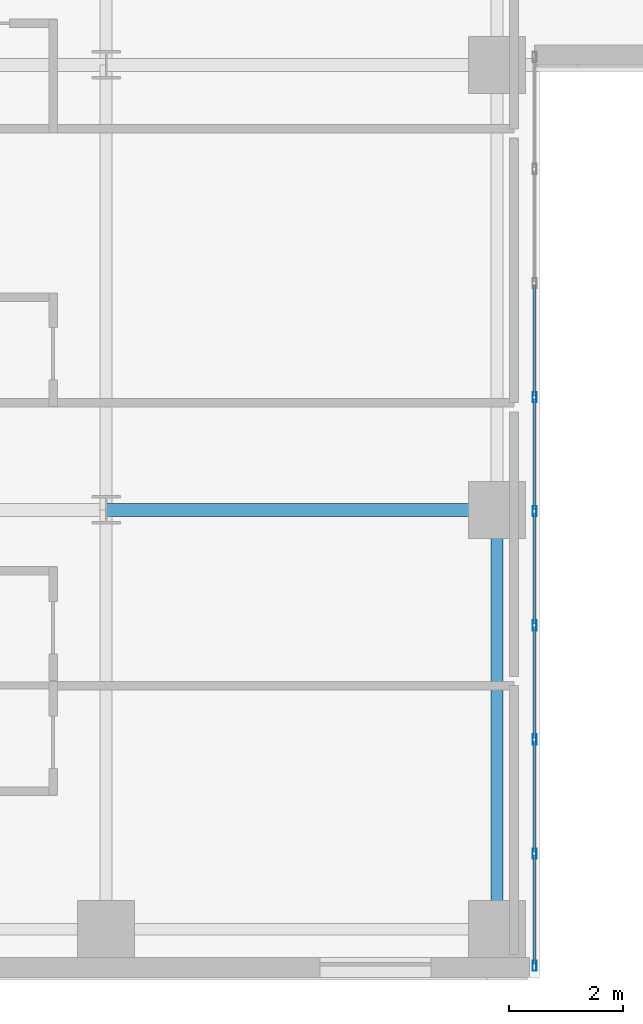
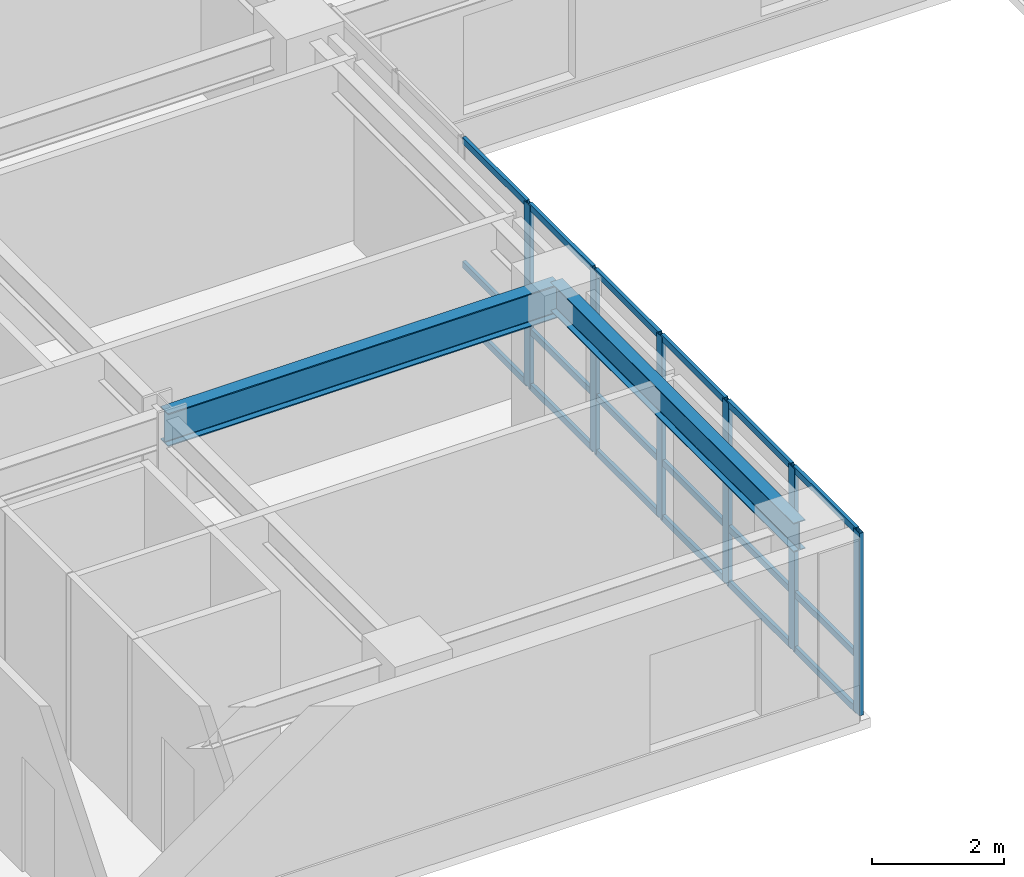
# One storey, part 2 of 25: 24 members, 2 beams, 1 element without a shape of its own.
"""IFC4 building model written with IfcOpenShell, lengths in metres."""

from ifc_helpers import new_model, si_unit, direction, frame, origin, origin_2d, place, context, subcontext, project, spatial, hollow_rectangle, i_section, extrude, source, transform, mapped, material, layer, layer_set, material_profile, profile_set, type_object, type_shapes, element, aggregate, save


model = new_model("IFC4")

# Units and contexts
model_context = context("Model", 3, precision=1e-05, world=origin(), true_north=direction((0.0, 1.0)))
body_context = subcontext(model_context, "Body", "Model", "MODEL_VIEW")
ifc_project = project(units=[si_unit("LENGTHUNIT", "METRE"), si_unit("AREAUNIT", "SQUARE_METRE"), si_unit("VOLUMEUNIT", "CUBIC_METRE"), si_unit("PLANEANGLEUNIT", "RADIAN"), si_unit("MASSUNIT", "GRAM", prefix="KILO")], contexts=[model_context])

# Site, building, storey
site_placement = place(None, origin())
site = spatial("IfcSite", under=ifc_project, at=site_placement, CompositionType="ELEMENT")
building_placement = place(site_placement, origin())
building = spatial("IfcBuilding", under=site, at=building_placement, Name="Tolvann Quenvar Hotel", CompositionType="ELEMENT")
storey_placement = place(building_placement, frame((0.0, 0.0, 46.199951171875)))
storey = spatial("IfcBuildingStorey", under=building, at=storey_placement, Name="L10", CompositionType="ELEMENT", Elevation=46.199951171875)

# Beams
ifc_material_1 = material(Name="Steel Grade 350", Category="steel")
ifc_material_profile_1 = material_profile(ifc_material_1, i_section(OverallWidth=0.22900390625, OverallDepth=0.612060546875, WebThickness=0.011962890625, FlangeThickness=0.01953125, FilletRadius=0.013916015625, at=origin_2d()), Name="610UB125")
ifc_profile_set_1 = profile_set([ifc_material_profile_1], Name="Steel Grade 350")
beam_type_1 = type_object("IfcBeamType", Name="BM_GIRD_610UB125", PredefinedType="BEAM", material=ifc_profile_set_1)
shared_shape_1 = source(origin(), body_context, "Body", "SweptSolid", [
    extrude(i_section(OverallWidth=0.22900390625, OverallDepth=0.612060546875, WebThickness=0.011962890625, FlangeThickness=0.01953125, FilletRadius=0.013916015625, at=origin_2d()), origin(), (0.0, 0.0, 1.0), 6.85009765625),
])
type_shapes(beam_type_1, [shared_shape_1])
beam_1_placement = place(storey_placement, frame((15.199951171875, 8.199951171875, 3.06396484375), z_axis=(1.0, 0.0, 0.0), x_axis=(0.0, 1.0, 0.0)))
element("IfcBeam", 1, at=beam_1_placement, inside=storey, type_object=beam_type_1, Name="BM-L10-EW-3-D3-E3", PredefinedType="BEAM", context=body_context, shape_type="MappedRepresentation", body=[
    mapped(shared_shape_1, transform((0.0, 0.0, 0.0), x_axis=(1.0, 0.0, 0.0), y_axis=(0.0, 1.0, 0.0), z_axis=(0.0, 0.0, 1.0), scale=1.0)),
])
ifc_material_profile_2 = material_profile(ifc_material_1, i_section(OverallWidth=0.208984375, OverallDepth=0.532958984375, WebThickness=0.01025390625, FlangeThickness=0.015625, FilletRadius=0.013916015625, at=origin_2d()), Name="530UB92")
ifc_profile_set_2 = profile_set([ifc_material_profile_2], Name="Steel Grade 350")
beam_type_2 = type_object("IfcBeamType", Name="BM_GIRD_530UB92", PredefinedType="BEAM", material=ifc_profile_set_2)
shared_shape_2 = source(origin(), body_context, "Body", "SweptSolid", [
    extrude(i_section(OverallWidth=0.208984375, OverallDepth=0.532958984375, WebThickness=0.01025390625, FlangeThickness=0.015625, FilletRadius=0.013916015625, at=origin_2d()), origin(), (0.0, 0.0, 1.0), 7.349853515625),
])
type_shapes(beam_type_2, [shared_shape_2])
beam_2_placement = place(storey_placement, frame((22.050048828125, 0.85009765625, 3.103515625), z_axis=(0.0, 1.0, 0.0), x_axis=(-1.0, 0.0, 0.0)))
element("IfcBeam", 2, at=beam_2_placement, inside=storey, type_object=beam_type_2, Name="BM-L10-NS-E2-E3", PredefinedType="BEAM", context=body_context, shape_type="MappedRepresentation", body=[
    mapped(shared_shape_2, transform((0.0, 0.0, 0.0), x_axis=(1.0, 0.0, 0.0), y_axis=(0.0, 1.0, 0.0), z_axis=(0.0, 0.0, 1.0), scale=1.0)),
])

# Curtain wall, members
ifc_material_2 = material(Name="Thermally broken anodised architectural aluminium 6063-T6 and laminated low-E glass", Category="aluminium")
ifc_layer = layer(ifc_material_2, 0.179931640625)
ifc_layer_set = layer_set([ifc_layer], Name="Thermally broken anodised architectural aluminium 6063-T6 and laminated low-E glass")
curtain_wall_type = type_object("IfcCurtainWallType", Name="CW_SYS_SLOT_03", PredefinedType="USERDEFINED", material=ifc_layer_set)
curtain_wall_placement = place(storey_placement, origin())
curtain_wall = element("IfcCurtainWall", 3, at=curtain_wall_placement, inside=storey, type_object=curtain_wall_type, Name="Curtain Wall CW-SLOT-03 (CWR-L10-E05)", ObjectType="UNITISED CURTAIN WALL", PredefinedType="USERDEFINED")
ifc_material_3 = material(Name="Anodised architectural aluminium 6063-T6 framing", Category="aluminium")
ifc_material_profile_3 = material_profile(ifc_material_3, hollow_rectangle(XDim=0.070068359375, YDim=0.179931640625, WallThickness=0.00390625, at=origin_2d()), Name="180x70x4RHS")
ifc_profile_set_3 = profile_set([ifc_material_profile_3], Name="Anodised architectural aluminium 6063-T6 framing")
member_type_1 = type_object("IfcMemberType", Name="CW_MULL_180x70", PredefinedType="MULLION", material=ifc_profile_set_3)
shared_shape_3 = source(origin(), body_context, "Body", "SweptSolid", [
    extrude(hollow_rectangle(XDim=0.070068359375, YDim=0.179931640625, WallThickness=0.00390625, at=origin_2d()), origin(), (0.0, 0.0, 1.0), 3.3701171875),
])
type_shapes(member_type_1, [shared_shape_3])
member_1_placement = place(storey_placement, frame((22.7099609375, 0.2099609375, 0.0), z_axis=(0.0, 0.0, 1.0), x_axis=(-1.0, 0.0, 0.0)))
member_1 = element("IfcMember", 4, at=member_1_placement, type_object=member_type_1, Name="CW-SLOT-03 mullion 1", PredefinedType="MULLION", context=body_context, shape_type="MappedRepresentation", body=[
    mapped(shared_shape_3, transform((0.0, 0.0, 0.0), x_axis=(1.0, 0.0, 0.0), y_axis=(0.0, 1.0, 0.0), z_axis=(0.0, 0.0, 1.0), scale=1.0)),
])
member_2_placement = place(storey_placement, frame((22.7099609375, 2.175048828125, 0.0), z_axis=(0.0, 0.0, 1.0), x_axis=(-1.0, 0.0, 0.0)))
member_2 = element("IfcMember", 5, at=member_2_placement, type_object=member_type_1, Name="CW-SLOT-03 mullion 2", PredefinedType="MULLION", context=body_context, shape_type="MappedRepresentation", body=[
    mapped(shared_shape_3, transform((0.0, 0.0, 0.0), x_axis=(1.0, 0.0, 0.0), y_axis=(0.0, 1.0, 0.0), z_axis=(0.0, 0.0, 1.0), scale=1.0)),
])
member_3_placement = place(storey_placement, frame((22.7099609375, 4.175048828125, 0.0), z_axis=(0.0, 0.0, 1.0), x_axis=(-1.0, 0.0, 0.0)))
member_3 = element("IfcMember", 6, at=member_3_placement, type_object=member_type_1, Name="CW-SLOT-03 mullion 3", PredefinedType="MULLION", context=body_context, shape_type="MappedRepresentation", body=[
    mapped(shared_shape_3, transform((0.0, 0.0, 0.0), x_axis=(1.0, 0.0, 0.0), y_axis=(0.0, 1.0, 0.0), z_axis=(0.0, 0.0, 1.0), scale=1.0)),
])
member_4_placement = place(storey_placement, frame((22.7099609375, 6.175048828125, 0.0), z_axis=(0.0, 0.0, 1.0), x_axis=(-1.0, 0.0, 0.0)))
member_4 = element("IfcMember", 7, at=member_4_placement, type_object=member_type_1, Name="CW-SLOT-03 mullion 4", PredefinedType="MULLION", context=body_context, shape_type="MappedRepresentation", body=[
    mapped(shared_shape_3, transform((0.0, 0.0, 0.0), x_axis=(1.0, 0.0, 0.0), y_axis=(0.0, 1.0, 0.0), z_axis=(0.0, 0.0, 1.0), scale=1.0)),
])
member_5_placement = place(storey_placement, frame((22.7099609375, 8.175048828125, 0.0), z_axis=(0.0, 0.0, 1.0), x_axis=(-1.0, 0.0, 0.0)))
member_5 = element("IfcMember", 8, at=member_5_placement, type_object=member_type_1, Name="CW-SLOT-03 mullion 5", PredefinedType="MULLION", context=body_context, shape_type="MappedRepresentation", body=[
    mapped(shared_shape_3, transform((0.0, 0.0, 0.0), x_axis=(1.0, 0.0, 0.0), y_axis=(0.0, 1.0, 0.0), z_axis=(0.0, 0.0, 1.0), scale=1.0)),
])
member_6_placement = place(storey_placement, frame((22.7099609375, 10.175048828125, 0.0), z_axis=(0.0, 0.0, 1.0), x_axis=(-1.0, 0.0, 0.0)))
member_6 = element("IfcMember", 9, at=member_6_placement, type_object=member_type_1, Name="CW-SLOT-03 mullion 6", PredefinedType="MULLION", context=body_context, shape_type="MappedRepresentation", body=[
    mapped(shared_shape_3, transform((0.0, 0.0, 0.0), x_axis=(1.0, 0.0, 0.0), y_axis=(0.0, 1.0, 0.0), z_axis=(0.0, 0.0, 1.0), scale=1.0)),
])
ifc_material_profile_4 = material_profile(ifc_material_3, hollow_rectangle(XDim=0.06005859375, YDim=0.1201171875, WallThickness=0.00341796875, at=origin_2d()), Name="120x60x3.5RHS")
ifc_profile_set_4 = profile_set([ifc_material_profile_4], Name="Anodised architectural aluminium 6063-T6 framing")
member_type_2 = type_object("IfcMemberType", Name="CW_TRAN_120x60", PredefinedType="USERDEFINED", material=ifc_profile_set_4)
shared_shape_4 = source(origin(), body_context, "Body", "SweptSolid", [
    extrude(hollow_rectangle(XDim=0.06005859375, YDim=0.1201171875, WallThickness=0.00341796875, at=origin_2d()), origin(), (0.0, 0.0, 1.0), 1.894775390625),
])
member_7_placement = place(storey_placement, frame((22.7099609375, 0.2451171875, 0.030029296875), z_axis=(0.0, 1.0, 0.0), x_axis=(-1.0, 0.0, 0.0)))
member_7 = element("IfcMember", 10, at=member_7_placement, type_object=member_type_2, Name="CW-SLOT-03 transom 1.1", ObjectType="TRANSOM", PredefinedType="USERDEFINED", context=body_context, shape_type="MappedRepresentation", body=[
    mapped(shared_shape_4, transform((0.0, 0.0, 0.0), x_axis=(1.0, 0.0, 0.0), y_axis=(0.0, 1.0, 0.0), z_axis=(0.0, 0.0, 1.0), scale=1.0)),
])
member_8_placement = place(storey_placement, frame((22.7099609375, 0.2451171875, 1.050048828125), z_axis=(0.0, 1.0, 0.0), x_axis=(-1.0, 0.0, 0.0)))
member_8 = element("IfcMember", 11, at=member_8_placement, type_object=member_type_2, Name="CW-SLOT-03 transom 1.2", ObjectType="TRANSOM", PredefinedType="USERDEFINED", context=body_context, shape_type="MappedRepresentation", body=[
    mapped(shared_shape_4, transform((0.0, 0.0, 0.0), x_axis=(1.0, 0.0, 0.0), y_axis=(0.0, 1.0, 0.0), z_axis=(0.0, 0.0, 1.0), scale=1.0)),
])
member_9_placement = place(storey_placement, frame((22.7099609375, 0.2451171875, 3.340087890625), z_axis=(0.0, 1.0, 0.0), x_axis=(-1.0, 0.0, 0.0)))
member_9 = element("IfcMember", 12, at=member_9_placement, type_object=member_type_2, Name="CW-SLOT-03 transom 1.3", ObjectType="TRANSOM", PredefinedType="USERDEFINED", context=body_context, shape_type="MappedRepresentation", body=[
    mapped(shared_shape_4, transform((0.0, 0.0, 0.0), x_axis=(1.0, 0.0, 0.0), y_axis=(0.0, 1.0, 0.0), z_axis=(0.0, 0.0, 1.0), scale=1.0)),
])
shared_shape_5 = source(origin(), body_context, "Body", "SweptSolid", [
    extrude(hollow_rectangle(XDim=0.06005859375, YDim=0.1201171875, WallThickness=0.00341796875, at=origin_2d()), origin(), (0.0, 0.0, 1.0), 1.929931640625),
])
type_shapes(member_type_2, [shared_shape_4, shared_shape_5])
member_10_placement = place(storey_placement, frame((22.7099609375, 2.2099609375, 0.030029296875), z_axis=(0.0, 1.0, 0.0), x_axis=(-1.0, 0.0, 0.0)))
member_10 = element("IfcMember", 13, at=member_10_placement, type_object=member_type_2, Name="CW-SLOT-03 transom 2.1", ObjectType="TRANSOM", PredefinedType="USERDEFINED", context=body_context, shape_type="MappedRepresentation", body=[
    mapped(shared_shape_5, transform((0.0, 0.0, 0.0), x_axis=(1.0, 0.0, 0.0), y_axis=(0.0, 1.0, 0.0), z_axis=(0.0, 0.0, 1.0), scale=1.0)),
])
member_11_placement = place(storey_placement, frame((22.7099609375, 2.2099609375, 1.050048828125), z_axis=(0.0, 1.0, 0.0), x_axis=(-1.0, 0.0, 0.0)))
member_11 = element("IfcMember", 14, at=member_11_placement, type_object=member_type_2, Name="CW-SLOT-03 transom 2.2", ObjectType="TRANSOM", PredefinedType="USERDEFINED", context=body_context, shape_type="MappedRepresentation", body=[
    mapped(shared_shape_5, transform((0.0, 0.0, 0.0), x_axis=(1.0, 0.0, 0.0), y_axis=(0.0, 1.0, 0.0), z_axis=(0.0, 0.0, 1.0), scale=1.0)),
])
member_12_placement = place(storey_placement, frame((22.7099609375, 2.2099609375, 3.340087890625), z_axis=(0.0, 1.0, 0.0), x_axis=(-1.0, 0.0, 0.0)))
member_12 = element("IfcMember", 15, at=member_12_placement, type_object=member_type_2, Name="CW-SLOT-03 transom 2.3", ObjectType="TRANSOM", PredefinedType="USERDEFINED", context=body_context, shape_type="MappedRepresentation", body=[
    mapped(shared_shape_5, transform((0.0, 0.0, 0.0), x_axis=(1.0, 0.0, 0.0), y_axis=(0.0, 1.0, 0.0), z_axis=(0.0, 0.0, 1.0), scale=1.0)),
])
member_13_placement = place(storey_placement, frame((22.7099609375, 4.2099609375, 0.030029296875), z_axis=(0.0, 1.0, 0.0), x_axis=(-1.0, 0.0, 0.0)))
member_13 = element("IfcMember", 16, at=member_13_placement, type_object=member_type_2, Name="CW-SLOT-03 transom 3.1", ObjectType="TRANSOM", PredefinedType="USERDEFINED", context=body_context, shape_type="MappedRepresentation", body=[
    mapped(shared_shape_5, transform((0.0, 0.0, 0.0), x_axis=(1.0, 0.0, 0.0), y_axis=(0.0, 1.0, 0.0), z_axis=(0.0, 0.0, 1.0), scale=1.0)),
])
member_14_placement = place(storey_placement, frame((22.7099609375, 4.2099609375, 1.050048828125), z_axis=(0.0, 1.0, 0.0), x_axis=(-1.0, 0.0, 0.0)))
member_14 = element("IfcMember", 17, at=member_14_placement, type_object=member_type_2, Name="CW-SLOT-03 transom 3.2", ObjectType="TRANSOM", PredefinedType="USERDEFINED", context=body_context, shape_type="MappedRepresentation", body=[
    mapped(shared_shape_5, transform((0.0, 0.0, 0.0), x_axis=(1.0, 0.0, 0.0), y_axis=(0.0, 1.0, 0.0), z_axis=(0.0, 0.0, 1.0), scale=1.0)),
])
member_15_placement = place(storey_placement, frame((22.7099609375, 4.2099609375, 3.340087890625), z_axis=(0.0, 1.0, 0.0), x_axis=(-1.0, 0.0, 0.0)))
member_15 = element("IfcMember", 18, at=member_15_placement, type_object=member_type_2, Name="CW-SLOT-03 transom 3.3", ObjectType="TRANSOM", PredefinedType="USERDEFINED", context=body_context, shape_type="MappedRepresentation", body=[
    mapped(shared_shape_5, transform((0.0, 0.0, 0.0), x_axis=(1.0, 0.0, 0.0), y_axis=(0.0, 1.0, 0.0), z_axis=(0.0, 0.0, 1.0), scale=1.0)),
])
member_16_placement = place(storey_placement, frame((22.7099609375, 6.2099609375, 0.030029296875), z_axis=(0.0, 1.0, 0.0), x_axis=(-1.0, 0.0, 0.0)))
member_16 = element("IfcMember", 19, at=member_16_placement, type_object=member_type_2, Name="CW-SLOT-03 transom 4.1", ObjectType="TRANSOM", PredefinedType="USERDEFINED", context=body_context, shape_type="MappedRepresentation", body=[
    mapped(shared_shape_5, transform((0.0, 0.0, 0.0), x_axis=(1.0, 0.0, 0.0), y_axis=(0.0, 1.0, 0.0), z_axis=(0.0, 0.0, 1.0), scale=1.0)),
])
member_17_placement = place(storey_placement, frame((22.7099609375, 6.2099609375, 1.050048828125), z_axis=(0.0, 1.0, 0.0), x_axis=(-1.0, 0.0, 0.0)))
member_17 = element("IfcMember", 20, at=member_17_placement, type_object=member_type_2, Name="CW-SLOT-03 transom 4.2", ObjectType="TRANSOM", PredefinedType="USERDEFINED", context=body_context, shape_type="MappedRepresentation", body=[
    mapped(shared_shape_5, transform((0.0, 0.0, 0.0), x_axis=(1.0, 0.0, 0.0), y_axis=(0.0, 1.0, 0.0), z_axis=(0.0, 0.0, 1.0), scale=1.0)),
])
member_18_placement = place(storey_placement, frame((22.7099609375, 6.2099609375, 3.340087890625), z_axis=(0.0, 1.0, 0.0), x_axis=(-1.0, 0.0, 0.0)))
member_18 = element("IfcMember", 21, at=member_18_placement, type_object=member_type_2, Name="CW-SLOT-03 transom 4.3", ObjectType="TRANSOM", PredefinedType="USERDEFINED", context=body_context, shape_type="MappedRepresentation", body=[
    mapped(shared_shape_5, transform((0.0, 0.0, 0.0), x_axis=(1.0, 0.0, 0.0), y_axis=(0.0, 1.0, 0.0), z_axis=(0.0, 0.0, 1.0), scale=1.0)),
])
member_19_placement = place(storey_placement, frame((22.7099609375, 8.2099609375, 0.030029296875), z_axis=(0.0, 1.0, 0.0), x_axis=(-1.0, 0.0, 0.0)))
member_19 = element("IfcMember", 22, at=member_19_placement, type_object=member_type_2, Name="CW-SLOT-03 transom 5.1", ObjectType="TRANSOM", PredefinedType="USERDEFINED", context=body_context, shape_type="MappedRepresentation", body=[
    mapped(shared_shape_5, transform((0.0, 0.0, 0.0), x_axis=(1.0, 0.0, 0.0), y_axis=(0.0, 1.0, 0.0), z_axis=(0.0, 0.0, 1.0), scale=1.0)),
])
member_20_placement = place(storey_placement, frame((22.7099609375, 8.2099609375, 1.050048828125), z_axis=(0.0, 1.0, 0.0), x_axis=(-1.0, 0.0, 0.0)))
member_20 = element("IfcMember", 23, at=member_20_placement, type_object=member_type_2, Name="CW-SLOT-03 transom 5.2", ObjectType="TRANSOM", PredefinedType="USERDEFINED", context=body_context, shape_type="MappedRepresentation", body=[
    mapped(shared_shape_5, transform((0.0, 0.0, 0.0), x_axis=(1.0, 0.0, 0.0), y_axis=(0.0, 1.0, 0.0), z_axis=(0.0, 0.0, 1.0), scale=1.0)),
])
member_21_placement = place(storey_placement, frame((22.7099609375, 8.2099609375, 3.340087890625), z_axis=(0.0, 1.0, 0.0), x_axis=(-1.0, 0.0, 0.0)))
member_21 = element("IfcMember", 24, at=member_21_placement, type_object=member_type_2, Name="CW-SLOT-03 transom 5.3", ObjectType="TRANSOM", PredefinedType="USERDEFINED", context=body_context, shape_type="MappedRepresentation", body=[
    mapped(shared_shape_5, transform((0.0, 0.0, 0.0), x_axis=(1.0, 0.0, 0.0), y_axis=(0.0, 1.0, 0.0), z_axis=(0.0, 0.0, 1.0), scale=1.0)),
])
member_22_placement = place(storey_placement, frame((22.7099609375, 10.2099609375, 0.030029296875), z_axis=(0.0, 1.0, 0.0), x_axis=(-1.0, 0.0, 0.0)))
member_22 = element("IfcMember", 25, at=member_22_placement, type_object=member_type_2, Name="CW-SLOT-03 transom 6.1", ObjectType="TRANSOM", PredefinedType="USERDEFINED", context=body_context, shape_type="MappedRepresentation", body=[
    mapped(shared_shape_5, transform((0.0, 0.0, 0.0), x_axis=(1.0, 0.0, 0.0), y_axis=(0.0, 1.0, 0.0), z_axis=(0.0, 0.0, 1.0), scale=1.0)),
])
member_23_placement = place(storey_placement, frame((22.7099609375, 10.2099609375, 1.050048828125), z_axis=(0.0, 1.0, 0.0), x_axis=(-1.0, 0.0, 0.0)))
member_23 = element("IfcMember", 26, at=member_23_placement, type_object=member_type_2, Name="CW-SLOT-03 transom 6.2", ObjectType="TRANSOM", PredefinedType="USERDEFINED", context=body_context, shape_type="MappedRepresentation", body=[
    mapped(shared_shape_5, transform((0.0, 0.0, 0.0), x_axis=(1.0, 0.0, 0.0), y_axis=(0.0, 1.0, 0.0), z_axis=(0.0, 0.0, 1.0), scale=1.0)),
])
member_24_placement = place(storey_placement, frame((22.7099609375, 10.2099609375, 3.340087890625), z_axis=(0.0, 1.0, 0.0), x_axis=(-1.0, 0.0, 0.0)))
member_24 = element("IfcMember", 27, at=member_24_placement, type_object=member_type_2, Name="CW-SLOT-03 transom 6.3", ObjectType="TRANSOM", PredefinedType="USERDEFINED", context=body_context, shape_type="MappedRepresentation", body=[
    mapped(shared_shape_5, transform((0.0, 0.0, 0.0), x_axis=(1.0, 0.0, 0.0), y_axis=(0.0, 1.0, 0.0), z_axis=(0.0, 0.0, 1.0), scale=1.0)),
])
aggregate(curtain_wall, [member_1, member_2, member_3, member_4, member_5, member_6, member_7, member_8, member_9, member_10, member_11, member_12, member_13, member_14, member_15, member_16, member_17, member_18, member_19, member_20, member_21, member_22, member_23, member_24])

save(model, "model.ifc")
